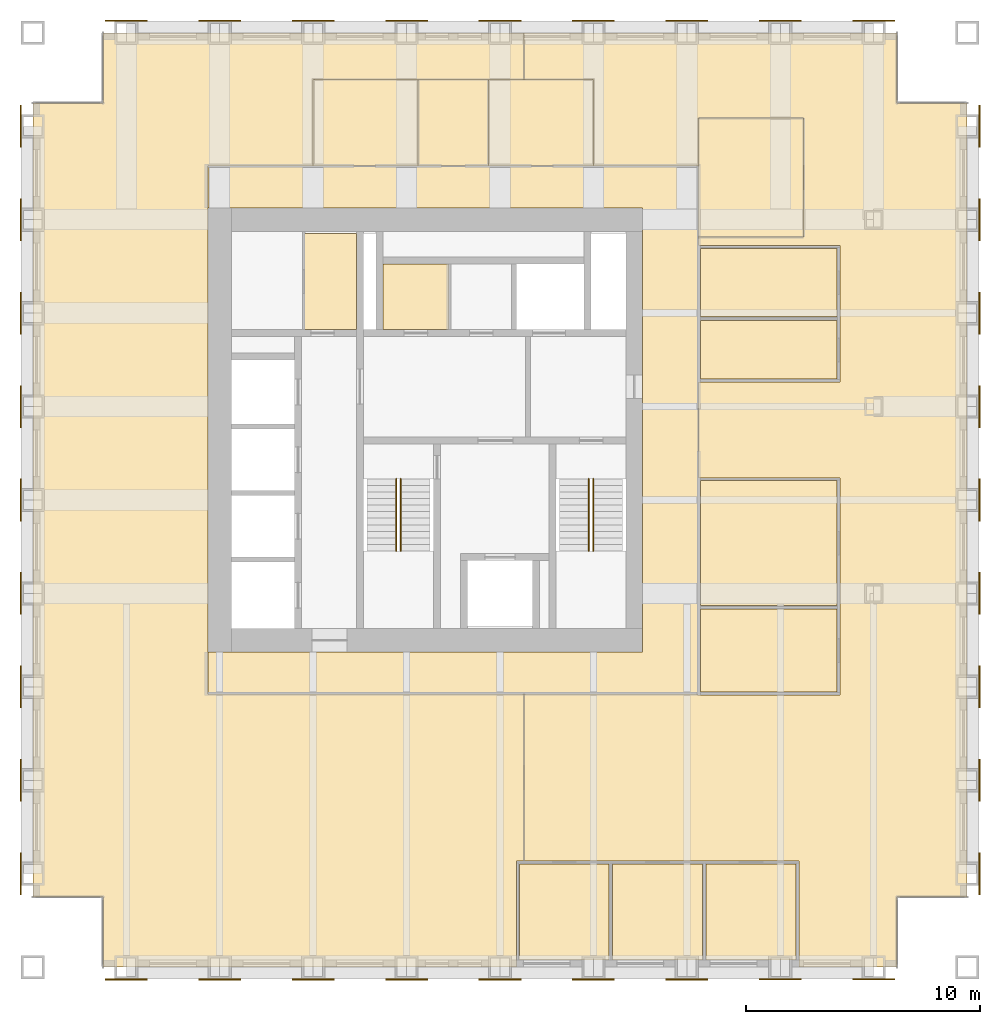
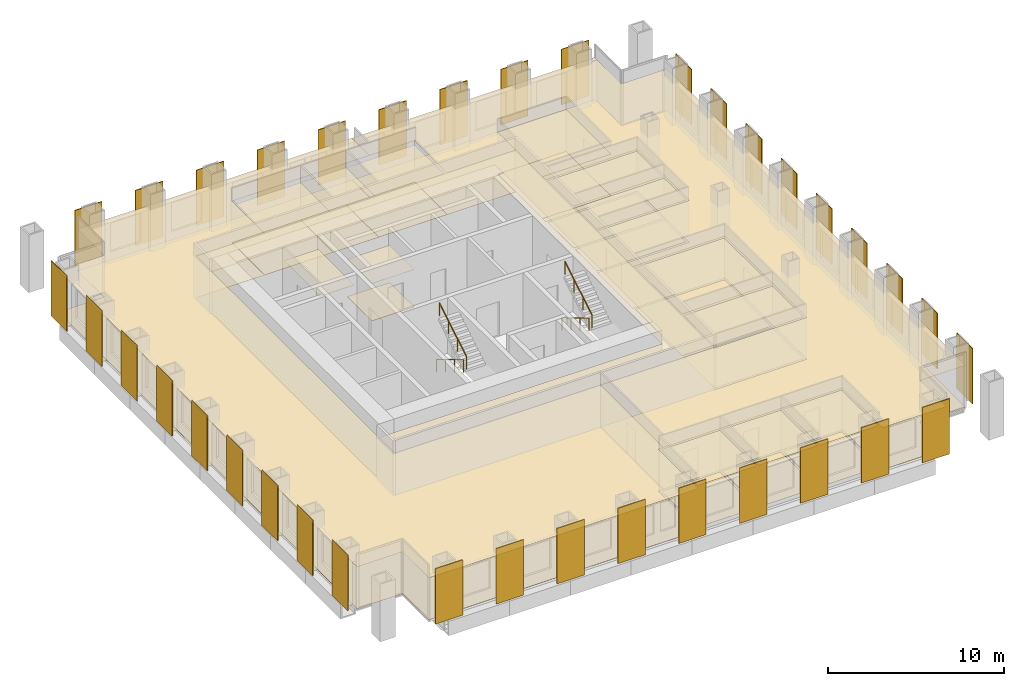
# One storey, part 11 of 11: 36 shading devices, 30 coverings, 4 railings.
"""IFC4 building model written with IfcOpenShell, lengths in metres."""

import ifcopenshell
import ifcopenshell.guid

model = None  # the IFC model being written
_history = None  # IfcOwnerHistory: only IFC2X3 demands one
_inside = {}  # id of a spatial element -> (the spatial element, [elements in it])
_under = {}  # id of a project, library or spatial element -> (it, [spatial elements below it])
_declared = {}  # id of a project -> (the project, [libraries it declares])
_typed = {}  # id of a type object -> (the type object, [elements of that type])
_made_of = {}  # id of a material, layer set ... -> (it, [elements and type objects made of it])


def new_model(schema):
    """Start an empty IFC model of exactly this schema.

    Asked for "IFC4X3", IfcOpenShell would pick the latest addendum, in which some entities
    have other attributes; the version numbers below select the first issue.
    IFC2X3 requires an IfcOwnerHistory on every rooted entity: one is made here for all.
    """
    global model, _history
    if schema == "IFC4X3":
        model = ifcopenshell.file(schema_version=(4, 3, 0, 0))
    else:
        model = ifcopenshell.file(schema=schema)
    _inside.clear()
    _under.clear()
    _declared.clear()
    _typed.clear()
    _made_of.clear()
    _history = None
    if model.schema == "IFC2X3":
        org = make("IfcOrganization", Name="unknown")
        user = make(
            "IfcPersonAndOrganization",
            ThePerson=make("IfcPerson", FamilyName="unknown"),
            TheOrganization=org,
        )
        app = make(
            "IfcApplication",
            ApplicationDeveloper=org,
            Version="unknown",
            ApplicationFullName="unknown",
            ApplicationIdentifier="unknown",
        )
        _history = make(
            "IfcOwnerHistory",
            OwningUser=user,
            OwningApplication=app,
            ChangeAction="ADDED",
            CreationDate=0,
        )
    return model


def make(cls, **values):
    """One entity of the class cls with the attributes given. An attribute that is None is left unset."""
    return model.create_entity(
        cls, **{name: value for name, value in values.items() if value is not None}
    )


def rooted(cls, **values):
    """An entity with a GlobalId (a new one), such as an element, a storey or a relation."""
    return make(cls, GlobalId=ifcopenshell.guid.new(), OwnerHistory=_history, **values)


def si_unit(unit_type, name, prefix=None):
    """IfcSIUnit, for example si_unit("LENGTHUNIT", "METRE", prefix="MILLI")."""
    return make("IfcSIUnit", UnitType=unit_type, Prefix=prefix, Name=name)


def assignment(units):
    """IfcUnitAssignment: the units of a project."""
    return None if units is None else make("IfcUnitAssignment", Units=units)


def point(xyz):
    """IfcCartesianPoint."""
    return None if xyz is None else make("IfcCartesianPoint", Coordinates=xyz)


def direction(xyz):
    """IfcDirection."""
    return None if xyz is None else make("IfcDirection", DirectionRatios=xyz)


def frame(location, z_axis=None, x_axis=None):
    """IfcAxis2Placement3D, a coordinate frame: its origin and axes. An axis left out is left unset."""
    return make(
        "IfcAxis2Placement3D",
        Location=point(location),
        Axis=direction(z_axis),
        RefDirection=direction(x_axis),
    )


def frame_2d(location, x_axis=None):
    """IfcAxis2Placement2D, a coordinate frame in the plane: its origin and x axis."""
    return make(
        "IfcAxis2Placement2D", Location=point(location), RefDirection=direction(x_axis)
    )


def origin():
    """The frame at (0, 0, 0) with its axes left unset."""
    return frame((0.0, 0.0, 0.0))


def origin_2d():
    """The frame at (0, 0) in the plane with its x axis left unset."""
    return frame_2d((0.0, 0.0))


def place(relative_to, where):
    """IfcLocalPlacement: puts the frame where relative to a parent placement (None: the world)."""
    return make(
        "IfcLocalPlacement", PlacementRelTo=relative_to, RelativePlacement=where
    )


def context(
    kind, dimensions, precision=None, world=None, true_north=None, identifier=None
):
    """IfcGeometricRepresentationContext, for example the 3D "Model" context."""
    return make(
        "IfcGeometricRepresentationContext",
        ContextIdentifier=identifier,
        ContextType=kind,
        CoordinateSpaceDimension=dimensions,
        Precision=precision,
        WorldCoordinateSystem=world,
        TrueNorth=true_north,
    )


def subcontext(parent, identifier, kind, view, scale=None):
    """IfcGeometricRepresentationSubContext, for example "Body" below "Model"."""
    return make(
        "IfcGeometricRepresentationSubContext",
        ContextIdentifier=identifier,
        ContextType=kind,
        ParentContext=parent,
        TargetScale=scale,
        TargetView=view,
    )


def project(units=None, contexts=None):
    """IfcProject with its units and contexts."""
    return rooted(
        "IfcProject",
        Name="project",
        RepresentationContexts=contexts,
        UnitsInContext=assignment(units),
    )


def spatial(cls, under=None, at=None, **own):
    """A site, building, storey or space (cls), placed at a placement, below another one or the project."""
    s = rooted(cls, ObjectPlacement=at, **own)
    if under is not None:
        _under.setdefault(under.id(), (under, []))[1].append(s)
    return s


def polyline(points):
    """IfcPolyline through the points."""
    return make("IfcPolyline", Points=[point(p) for p in points])


def profile(cls, at=None, kind="AREA", **sizes):
    """A parametric profile (cls). Its sizes go by their IFC names, for example OverallWidth=200.0."""
    return make(cls, ProfileType=kind, Position=at, **sizes)


def rectangle(**sizes):
    """IfcRectangleProfileDef."""
    return profile("IfcRectangleProfileDef", **sizes)


def circle(**sizes):
    """IfcCircleProfileDef."""
    return profile("IfcCircleProfileDef", **sizes)


def outline(outer, holes=None, kind="AREA"):
    """IfcArbitraryClosedProfileDef: a profile drawn as a closed curve; with holes, ...WithVoids."""
    if holes is None:
        return make("IfcArbitraryClosedProfileDef", ProfileType=kind, OuterCurve=outer)
    return make(
        "IfcArbitraryProfileDefWithVoids",
        ProfileType=kind,
        OuterCurve=outer,
        InnerCurves=holes,
    )


def extrude(swept, where, along, depth):
    """IfcExtrudedAreaSolid: the profile swept, set in the frame where, extruded along a direction by depth."""
    return make(
        "IfcExtrudedAreaSolid",
        SweptArea=swept,
        Position=where,
        ExtrudedDirection=direction(along),
        Depth=depth,
    )


def shape(context_of_items, identifier, shape_type, items):
    """IfcShapeRepresentation: the items that make up one representation, for example the "Body"."""
    return make(
        "IfcShapeRepresentation",
        ContextOfItems=context_of_items,
        RepresentationIdentifier=identifier,
        RepresentationType=shape_type,
        Items=items,
    )


def material(Name=None, Category=None):
    """IfcMaterial."""
    return make("IfcMaterial", Name=Name, Category=Category)


def layer(
    of_material, thickness, ventilated=None, Name=None, Category=None, Priority=None
):
    """IfcMaterialLayer: one layer of a wall or slab, of a material (None: an air gap)."""
    return make(
        "IfcMaterialLayer",
        Material=of_material,
        LayerThickness=thickness,
        IsVentilated=ventilated,
        Name=Name,
        Category=Category,
        Priority=Priority,
    )


def layer_set(layers, Name=None):
    """IfcMaterialLayerSet."""
    return make("IfcMaterialLayerSet", MaterialLayers=layers, LayerSetName=Name)


def made_of(thing, what):
    """Note that an element or type object is made of a material, layer set ...; save() writes the relation."""
    if what is not None:
        _made_of.setdefault(what.id(), (what, []))[1].append(thing)
    return thing


def type_object(cls, material=None, **own):
    """A type object (cls), such as IfcWallType, which elements share."""
    return made_of(rooted(cls, **own), material)


def element(
    cls,
    number,
    at=None,
    inside=None,
    cuts=None,
    type_object=None,
    material=None,
    context=None,
    identifier="Body",
    shape_type=None,
    held_by="IfcProductDefinitionShape",
    body=None,
    shapes=None,
    **own,
):
    """One element of the class cls, such as IfcWall. Its Tag is "e" and its number.

    at: its placement. inside: the storey or other place that contains it. cuts: it is an
    opening in that element (IfcRelVoidsElement). A single representation is given by context,
    identifier, shape_type and body (its items); several are given by shapes. held_by: the class
    of the entity that holds the representations. save() writes the other relations.
    """
    e = rooted(cls, Tag="e%d" % number, ObjectPlacement=at, **own)
    if body is not None:
        shapes = [shape(context, identifier, shape_type, body)]
    if shapes is not None:
        e.Representation = make(held_by, Representations=shapes)
    if inside is not None:
        _inside.setdefault(inside.id(), (inside, []))[1].append(e)
    if cuts is not None:
        rooted(
            "IfcRelVoidsElement", RelatingBuildingElement=cuts, RelatedOpeningElement=e
        )
    if type_object is not None:
        _typed.setdefault(type_object.id(), (type_object, []))[1].append(e)
    return made_of(e, material)


def aggregate(whole, parts):
    """IfcRelAggregates: a whole, such as a stair, and the parts it consists of."""
    return rooted("IfcRelAggregates", RelatingObject=whole, RelatedObjects=parts)


def save(model, path):
    """Write the relations noted so far, then the file.

    IfcRelAggregates (storeys below a building ...), IfcRelContainedInSpatialStructure (elements
    in a storey), IfcRelDefinesByType, IfcRelAssociatesMaterial and IfcRelDeclares: one each for
    every whole, place, type object, material and project.
    """
    for whole, parts in _under.values():
        aggregate(whole, parts)
    for where, things in _inside.values():
        rooted(
            "IfcRelContainedInSpatialStructure",
            RelatedElements=things,
            RelatingStructure=where,
        )
    for kind, things in _typed.values():
        rooted("IfcRelDefinesByType", RelatedObjects=things, RelatingType=kind)
    for what, things in _made_of.values():
        rooted("IfcRelAssociatesMaterial", RelatedObjects=things, RelatingMaterial=what)
    for by, libraries in _declared.values():
        rooted("IfcRelDeclares", RelatingContext=by, RelatedDefinitions=libraries)
    model.write(path)


model = new_model("IFC4")

# Units and contexts
model_context = context("Model", 3, precision=1e-05, world=origin(), true_north=direction((0.0, 1.0)))
body_context = subcontext(model_context, "Body", "Model", "MODEL_VIEW")
ifc_project = project(units=[si_unit("LENGTHUNIT", "METRE"), si_unit("AREAUNIT", "SQUARE_METRE"), si_unit("VOLUMEUNIT", "CUBIC_METRE"), si_unit("PLANEANGLEUNIT", "RADIAN"), si_unit("MASSUNIT", "GRAM", prefix="KILO")], contexts=[model_context])

# Site, building, storey
site_placement = place(None, origin())
site = spatial("IfcSite", under=ifc_project, at=site_placement, CompositionType="ELEMENT")
building_placement = place(site_placement, origin())
building = spatial("IfcBuilding", under=site, at=building_placement, Name="Rimbunsela Tower", CompositionType="ELEMENT")
storey_placement = place(building_placement, frame((0.0, 0.0, 250.199951171875)))
storey = spatial("IfcBuildingStorey", under=building, at=storey_placement, Name="L60", CompositionType="ELEMENT", Elevation=250.199951171875)

# Coverings
ifc_material_1 = material(Name="Nylon carpet tile", Category="textile")
ifc_layer_1 = layer(ifc_material_1, 0.010009765625)
ifc_layer_set_1 = layer_set([ifc_layer_1], Name="Carpet tile 10")
covering_type_1 = type_object("IfcCoveringType", Name="Carpet tile 10", PredefinedType="FLOORING", material=ifc_layer_set_1)
covering_1_placement = place(storey_placement, origin())
element("IfcCovering", 1, at=covering_1_placement, inside=storey, type_object=covering_type_1, Name="Floor finish Open office", PredefinedType="FLOORING", context=body_context, shape_type="SweptSolid", body=[
    extrude(outline(polyline([(31.02490234375, 44.0), (38.5, 44.0), (47.0, 44.0), (47.0, 41.0), (50.0, 41.0), (50.0, 7.0), (47.0, 7.0), (47.0, 4.0), (42.800048828125, 4.0), (42.800048828125, 8.550048828125), (38.800048828125, 8.550048828125), (38.699951171875, 8.550048828125), (38.5, 8.550048828125), (34.800048828125, 8.550048828125), (34.699951171875, 8.550048828125), (31.02490234375, 8.550048828125), (31.02490234375, 15.699951171875), (38.449951171875, 15.699951171875), (38.449951171875, 15.64990234375), (38.5, 15.64990234375), (44.550048828125, 15.64990234375), (44.550048828125, 19.35009765625), (44.550048828125, 19.449951171875), (44.550048828125, 24.949951171875), (38.5, 24.949951171875), (38.5, 29.050048828125), (44.550048828125, 29.050048828125), (44.550048828125, 31.699951171875), (44.550048828125, 31.800048828125), (44.550048828125, 34.89990234375), (38.5, 34.89990234375), (38.5, 35.25), (43.0, 35.25), (43.0, 40.35009765625), (38.5, 40.35009765625), (38.5, 38.300048828125), (34.0, 38.300048828125), (34.0, 42.0), (31.02490234375, 42.0), (31.02490234375, 44.0)])), origin(), (0.0, 0.0, 1.0), 0.010009765625),
])
covering_2_placement = place(storey_placement, origin())
element("IfcCovering", 2, at=covering_2_placement, inside=storey, type_object=covering_type_1, Name="Floor finish Open office", PredefinedType="FLOORING", context=body_context, shape_type="SweptSolid", body=[
    extrude(outline(polyline([(30.699951171875, 4.0), (17.5, 4.0), (13.0, 4.0), (13.0, 7.0), (10.0, 7.0), (10.0, 41.0), (13.0, 41.0), (13.0, 44.0), (17.5, 44.0), (31.02490234375, 44.0), (31.02490234375, 42.0), (22.0, 42.0), (22.0, 38.300048828125), (17.5, 38.300048828125), (17.5, 36.5), (17.5, 17.5), (17.5, 15.699951171875), (31.02490234375, 15.699951171875), (31.02490234375, 8.550048828125), (30.699951171875, 8.550048828125), (30.699951171875, 4.0)])), origin(), (0.0, 0.0, 1.0), 0.010009765625),
])
covering_3_placement = place(storey_placement, origin())
element("IfcCovering", 3, at=covering_3_placement, inside=storey, type_object=covering_type_1, Name="Floor finish Reception", PredefinedType="FLOORING", context=body_context, shape_type="SweptSolid", body=[
    extrude(outline(polyline([(43.0, 35.25), (43.0, 40.35009765625), (38.5, 40.35009765625), (38.5, 35.25), (43.0, 35.25)])), origin(), (0.0, 0.0, 1.0), 0.010009765625),
])
covering_4_placement = place(storey_placement, origin())
element("IfcCovering", 4, at=covering_4_placement, inside=storey, type_object=covering_type_1, Name="Floor finish Executive office", PredefinedType="FLOORING", context=body_context, shape_type="SweptSolid", body=[
    extrude(outline(polyline([(34.675048828125, 4.300048828125), (34.675048828125, 8.425048828125), (30.824951171875, 8.425048828125), (30.824951171875, 4.300048828125), (34.675048828125, 4.300048828125)])), origin(), (0.0, 0.0, 1.0), 0.010009765625),
])
covering_5_placement = place(storey_placement, origin())
element("IfcCovering", 5, at=covering_5_placement, inside=storey, type_object=covering_type_1, Name="Floor finish Executive office", PredefinedType="FLOORING", context=body_context, shape_type="SweptSolid", body=[
    extrude(outline(polyline([(38.675048828125, 4.300048828125), (38.675048828125, 8.425048828125), (34.824951171875, 8.425048828125), (34.824951171875, 4.300048828125), (38.675048828125, 4.300048828125)])), origin(), (0.0, 0.0, 1.0), 0.010009765625),
])
covering_6_placement = place(storey_placement, origin())
element("IfcCovering", 6, at=covering_6_placement, inside=storey, type_object=covering_type_1, Name="Floor finish Executive office", PredefinedType="FLOORING", context=body_context, shape_type="SweptSolid", body=[
    extrude(outline(polyline([(42.675048828125, 4.300048828125), (42.675048828125, 8.425048828125), (38.824951171875, 8.425048828125), (38.824951171875, 4.300048828125), (42.675048828125, 4.300048828125)])), origin(), (0.0, 0.0, 1.0), 0.010009765625),
])
covering_7_placement = place(storey_placement, origin())
element("IfcCovering", 7, at=covering_7_placement, inside=storey, type_object=covering_type_1, Name="Floor finish Meeting room", PredefinedType="FLOORING", context=body_context, shape_type="SweptSolid", body=[
    extrude(outline(polyline([(44.425048828125, 15.77490234375), (44.425048828125, 19.324951171875), (38.574951171875, 19.324951171875), (38.574951171875, 15.77490234375), (44.425048828125, 15.77490234375)])), origin(), (0.0, 0.0, 1.0), 0.010009765625),
])
covering_8_placement = place(storey_placement, origin())
element("IfcCovering", 8, at=covering_8_placement, inside=storey, type_object=covering_type_1, Name="Floor finish Pantry", PredefinedType="FLOORING", context=body_context, shape_type="SweptSolid", body=[
    extrude(outline(polyline([(44.425048828125, 19.47509765625), (44.425048828125, 24.824951171875), (38.574951171875, 24.824951171875), (38.574951171875, 19.47509765625), (44.425048828125, 19.47509765625)])), origin(), (0.0, 0.0, 1.0), 0.010009765625),
])
covering_9_placement = place(storey_placement, origin())
element("IfcCovering", 9, at=covering_9_placement, inside=storey, type_object=covering_type_1, Name="Floor finish Print and copy room", PredefinedType="FLOORING", context=body_context, shape_type="SweptSolid", body=[
    extrude(outline(polyline([(44.425048828125, 29.175048828125), (44.425048828125, 31.675048828125), (38.574951171875, 31.675048828125), (38.574951171875, 29.175048828125), (44.425048828125, 29.175048828125)])), origin(), (0.0, 0.0, 1.0), 0.010009765625),
])
covering_10_placement = place(storey_placement, origin())
element("IfcCovering", 10, at=covering_10_placement, inside=storey, type_object=covering_type_1, Name="Floor finish Office", PredefinedType="FLOORING", context=body_context, shape_type="SweptSolid", body=[
    extrude(outline(polyline([(44.425048828125, 31.824951171875), (44.425048828125, 34.77490234375), (38.574951171875, 34.77490234375), (38.574951171875, 31.824951171875), (44.425048828125, 31.824951171875)])), origin(), (0.0, 0.0, 1.0), 0.010009765625),
])
ifc_material_2 = material(Name="Mineral fibre ceiling tile", Category="gypsum")
ifc_layer_2 = layer(ifc_material_2, 0.02001953125)
ifc_layer_set_2 = layer_set([ifc_layer_2], Name="Ceiling 600 grid")
covering_type_2 = type_object("IfcCoveringType", Name="Ceiling 600 grid", PredefinedType="CEILING", material=ifc_layer_set_2)
covering_11_placement = place(storey_placement, frame((0.0, 0.0, 2.900146484375)))
element("IfcCovering", 11, at=covering_11_placement, inside=storey, type_object=covering_type_2, Name="Ceiling Staff pantry", PredefinedType="CEILING", context=body_context, shape_type="SweptSolid", body=[
    extrude(outline(polyline([(23.85009765625, 31.300048828125), (23.85009765625, 35.39990234375), (21.60009765625, 35.39990234375), (21.60009765625, 31.300048828125), (23.85009765625, 31.300048828125)])), origin(), (0.0, 0.0, 1.0), 0.02001953125),
])
covering_12_placement = place(storey_placement, frame((0.0, 0.0, 2.900146484375)))
element("IfcCovering", 12, at=covering_12_placement, inside=storey, type_object=covering_type_2, Name="Ceiling U-shaped corridor", PredefinedType="CEILING", context=body_context, shape_type="SweptSolid", body=[
    extrude(outline(polyline([(38.5, 38.300048828125), (38.5, 15.699951171875), (17.5, 15.699951171875), (17.5, 17.5), (36.10009765625, 17.5), (36.10009765625, 36.5), (17.5, 36.5), (17.5, 38.300048828125), (38.5, 38.300048828125)])), origin(), (0.0, 0.0, 1.0), 0.02001953125),
])
covering_13_placement = place(storey_placement, frame((0.0, 0.0, 2.900146484375)))
element("IfcCovering", 13, at=covering_13_placement, inside=storey, type_object=covering_type_2, Name="Ceiling Open office", PredefinedType="CEILING", context=body_context, shape_type="SweptSolid", body=[
    extrude(outline(polyline([(31.02490234375, 44.0), (38.5, 44.0), (47.0, 44.0), (47.0, 41.0), (50.0, 41.0), (50.0, 7.0), (47.0, 7.0), (47.0, 4.0), (42.800048828125, 4.0), (42.800048828125, 8.550048828125), (38.800048828125, 8.550048828125), (38.699951171875, 8.550048828125), (38.5, 8.550048828125), (34.800048828125, 8.550048828125), (34.699951171875, 8.550048828125), (31.02490234375, 8.550048828125), (31.02490234375, 15.699951171875), (38.449951171875, 15.699951171875), (38.449951171875, 15.64990234375), (38.5, 15.64990234375), (44.550048828125, 15.64990234375), (44.550048828125, 19.35009765625), (44.550048828125, 19.449951171875), (44.550048828125, 24.949951171875), (38.5, 24.949951171875), (38.5, 29.050048828125), (44.550048828125, 29.050048828125), (44.550048828125, 31.699951171875), (44.550048828125, 31.800048828125), (44.550048828125, 34.89990234375), (38.5, 34.89990234375), (38.5, 35.25), (43.0, 35.25), (43.0, 40.35009765625), (38.5, 40.35009765625), (38.5, 38.300048828125), (34.0, 38.300048828125), (34.0, 42.0), (31.02490234375, 42.0), (31.02490234375, 44.0)])), origin(), (0.0, 0.0, 1.0), 0.02001953125),
])
covering_14_placement = place(storey_placement, frame((0.0, 0.0, 2.900146484375)))
element("IfcCovering", 14, at=covering_14_placement, inside=storey, type_object=covering_type_2, Name="Ceiling Open office", PredefinedType="CEILING", context=body_context, shape_type="SweptSolid", body=[
    extrude(outline(polyline([(30.699951171875, 4.0), (17.5, 4.0), (13.0, 4.0), (13.0, 7.0), (10.0, 7.0), (10.0, 41.0), (13.0, 41.0), (13.0, 44.0), (17.5, 44.0), (31.02490234375, 44.0), (31.02490234375, 42.0), (22.0, 42.0), (22.0, 38.300048828125), (17.5, 38.300048828125), (17.5, 36.5), (17.5, 17.5), (17.5, 15.699951171875), (31.02490234375, 15.699951171875), (31.02490234375, 8.550048828125), (30.699951171875, 8.550048828125), (30.699951171875, 4.0)])), origin(), (0.0, 0.0, 1.0), 0.02001953125),
])
covering_15_placement = place(storey_placement, frame((0.0, 0.0, 2.900146484375)))
element("IfcCovering", 15, at=covering_15_placement, inside=storey, type_object=covering_type_2, Name="Ceiling Reception", PredefinedType="CEILING", context=body_context, shape_type="SweptSolid", body=[
    extrude(outline(polyline([(43.0, 35.25), (43.0, 40.35009765625), (38.5, 40.35009765625), (38.5, 35.25), (43.0, 35.25)])), origin(), (0.0, 0.0, 1.0), 0.02001953125),
])
covering_16_placement = place(storey_placement, frame((0.0, 0.0, 2.900146484375)))
element("IfcCovering", 16, at=covering_16_placement, inside=storey, type_object=covering_type_2, Name="Ceiling Executive office", PredefinedType="CEILING", context=body_context, shape_type="SweptSolid", body=[
    extrude(outline(polyline([(34.675048828125, 4.300048828125), (34.675048828125, 8.425048828125), (30.824951171875, 8.425048828125), (30.824951171875, 4.300048828125), (34.675048828125, 4.300048828125)])), origin(), (0.0, 0.0, 1.0), 0.02001953125),
])
covering_17_placement = place(storey_placement, frame((0.0, 0.0, 2.900146484375)))
element("IfcCovering", 17, at=covering_17_placement, inside=storey, type_object=covering_type_2, Name="Ceiling Executive office", PredefinedType="CEILING", context=body_context, shape_type="SweptSolid", body=[
    extrude(outline(polyline([(38.675048828125, 4.300048828125), (38.675048828125, 8.425048828125), (34.824951171875, 8.425048828125), (34.824951171875, 4.300048828125), (38.675048828125, 4.300048828125)])), origin(), (0.0, 0.0, 1.0), 0.02001953125),
])
covering_18_placement = place(storey_placement, frame((0.0, 0.0, 2.900146484375)))
element("IfcCovering", 18, at=covering_18_placement, inside=storey, type_object=covering_type_2, Name="Ceiling Executive office", PredefinedType="CEILING", context=body_context, shape_type="SweptSolid", body=[
    extrude(outline(polyline([(42.675048828125, 4.300048828125), (42.675048828125, 8.425048828125), (38.824951171875, 8.425048828125), (38.824951171875, 4.300048828125), (42.675048828125, 4.300048828125)])), origin(), (0.0, 0.0, 1.0), 0.02001953125),
])
covering_19_placement = place(storey_placement, frame((0.0, 0.0, 2.900146484375)))
element("IfcCovering", 19, at=covering_19_placement, inside=storey, type_object=covering_type_2, Name="Ceiling Meeting room", PredefinedType="CEILING", context=body_context, shape_type="SweptSolid", body=[
    extrude(outline(polyline([(44.425048828125, 15.77490234375), (44.425048828125, 19.324951171875), (38.574951171875, 19.324951171875), (38.574951171875, 15.77490234375), (44.425048828125, 15.77490234375)])), origin(), (0.0, 0.0, 1.0), 0.02001953125),
])
covering_20_placement = place(storey_placement, frame((0.0, 0.0, 2.900146484375)))
element("IfcCovering", 20, at=covering_20_placement, inside=storey, type_object=covering_type_2, Name="Ceiling Pantry", PredefinedType="CEILING", context=body_context, shape_type="SweptSolid", body=[
    extrude(outline(polyline([(44.425048828125, 19.47509765625), (44.425048828125, 24.824951171875), (38.574951171875, 24.824951171875), (38.574951171875, 19.47509765625), (44.425048828125, 19.47509765625)])), origin(), (0.0, 0.0, 1.0), 0.02001953125),
])
covering_21_placement = place(storey_placement, frame((0.0, 0.0, 2.900146484375)))
element("IfcCovering", 21, at=covering_21_placement, inside=storey, type_object=covering_type_2, Name="Ceiling Print and copy room", PredefinedType="CEILING", context=body_context, shape_type="SweptSolid", body=[
    extrude(outline(polyline([(44.425048828125, 29.175048828125), (44.425048828125, 31.675048828125), (38.574951171875, 31.675048828125), (38.574951171875, 29.175048828125), (44.425048828125, 29.175048828125)])), origin(), (0.0, 0.0, 1.0), 0.02001953125),
])
covering_22_placement = place(storey_placement, frame((0.0, 0.0, 2.900146484375)))
element("IfcCovering", 22, at=covering_22_placement, inside=storey, type_object=covering_type_2, Name="Ceiling Office", PredefinedType="CEILING", context=body_context, shape_type="SweptSolid", body=[
    extrude(outline(polyline([(44.425048828125, 31.824951171875), (44.425048828125, 34.77490234375), (38.574951171875, 34.77490234375), (38.574951171875, 31.824951171875), (44.425048828125, 31.824951171875)])), origin(), (0.0, 0.0, 1.0), 0.02001953125),
])
ifc_material_3 = material(Name="Moisture-resistant plasterboard ceiling", Category="gypsum")
ifc_layer_3 = layer(ifc_material_3, 0.012451171875)
ifc_layer_set_3 = layer_set([ifc_layer_3], Name="Ceiling moisture-resistant board")
covering_type_3 = type_object("IfcCoveringType", Name="Ceiling moisture-resistant board", PredefinedType="CEILING", material=ifc_layer_set_3)
covering_23_placement = place(storey_placement, frame((0.0, 0.0, 2.60009765625)))
element("IfcCovering", 23, at=covering_23_placement, inside=storey, type_object=covering_type_3, Name="Ceiling Staff WC", PredefinedType="CEILING", context=body_context, shape_type="SweptSolid", body=[
    extrude(outline(polyline([(27.800048828125, 31.300048828125), (27.800048828125, 34.10009765625), (25.0, 34.10009765625), (25.0, 31.300048828125), (27.800048828125, 31.300048828125)])), origin(), (0.0, 0.0, 1.0), 0.02001953125),
])
covering_24_placement = place(storey_placement, frame((0.0, 0.0, 2.60009765625)))
element("IfcCovering", 24, at=covering_24_placement, inside=storey, type_object=covering_type_3, Name="Ceiling Female WC", PredefinedType="CEILING", context=body_context, shape_type="SweptSolid", body=[
    extrude(outline(polyline([(26.5, 38.300048828125), (26.5, 42.0), (22.0, 42.0), (22.0, 38.300048828125), (26.5, 38.300048828125)])), origin(), (0.0, 0.0, 1.0), 0.02001953125),
])
covering_25_placement = place(storey_placement, frame((0.0, 0.0, 2.60009765625)))
element("IfcCovering", 25, at=covering_25_placement, inside=storey, type_object=covering_type_3, Name="Ceiling Accessible WC", PredefinedType="CEILING", context=body_context, shape_type="SweptSolid", body=[
    extrude(outline(polyline([(29.5, 38.300048828125), (29.5, 42.0), (26.5, 42.0), (26.5, 38.300048828125), (29.5, 38.300048828125)])), origin(), (0.0, 0.0, 1.0), 0.02001953125),
])
covering_26_placement = place(storey_placement, frame((0.0, 0.0, 2.60009765625)))
element("IfcCovering", 26, at=covering_26_placement, inside=storey, type_object=covering_type_3, Name="Ceiling Male WC", PredefinedType="CEILING", context=body_context, shape_type="SweptSolid", body=[
    extrude(outline(polyline([(34.0, 38.300048828125), (34.0, 42.0), (29.5, 42.0), (29.5, 38.300048828125), (34.0, 38.300048828125)])), origin(), (0.0, 0.0, 1.0), 0.02001953125),
])
ifc_material_4 = material(Name="Porcelain floor tile in adhesive bed", Category="ceramic")
ifc_layer_4 = layer(ifc_material_4, 0.02001953125)
ifc_layer_set_4 = layer_set([ifc_layer_4], Name="Porcelain tile 20")
covering_type_4 = type_object("IfcCoveringType", Name="Porcelain tile 20", PredefinedType="FLOORING", material=ifc_layer_set_4)
covering_27_placement = place(storey_placement, origin())
element("IfcCovering", 27, at=covering_27_placement, inside=storey, type_object=covering_type_4, Name="Floor finish Staff WC", PredefinedType="FLOORING", context=body_context, shape_type="SweptSolid", body=[
    extrude(outline(polyline([(27.800048828125, 31.300048828125), (27.800048828125, 34.10009765625), (25.0, 34.10009765625), (25.0, 31.300048828125), (27.800048828125, 31.300048828125)])), origin(), (0.0, 0.0, 1.0), 0.02001953125),
])
covering_28_placement = place(storey_placement, origin())
element("IfcCovering", 28, at=covering_28_placement, inside=storey, type_object=covering_type_4, Name="Floor finish Female WC", PredefinedType="FLOORING", context=body_context, shape_type="SweptSolid", body=[
    extrude(outline(polyline([(26.5, 38.300048828125), (26.5, 42.0), (22.0, 42.0), (22.0, 38.300048828125), (26.5, 38.300048828125)])), origin(), (0.0, 0.0, 1.0), 0.02001953125),
])
covering_29_placement = place(storey_placement, origin())
element("IfcCovering", 29, at=covering_29_placement, inside=storey, type_object=covering_type_4, Name="Floor finish Accessible WC", PredefinedType="FLOORING", context=body_context, shape_type="SweptSolid", body=[
    extrude(outline(polyline([(29.5, 38.300048828125), (29.5, 42.0), (26.5, 42.0), (26.5, 38.300048828125), (29.5, 38.300048828125)])), origin(), (0.0, 0.0, 1.0), 0.02001953125),
])
covering_30_placement = place(storey_placement, origin())
element("IfcCovering", 30, at=covering_30_placement, inside=storey, type_object=covering_type_4, Name="Floor finish Male WC", PredefinedType="FLOORING", context=body_context, shape_type="SweptSolid", body=[
    extrude(outline(polyline([(34.0, 38.300048828125), (34.0, 42.0), (29.5, 42.0), (29.5, 38.300048828125), (34.0, 38.300048828125)])), origin(), (0.0, 0.0, 1.0), 0.02001953125),
])

# Shading devices
ifc_material_5 = material(Name="Perforated aluminium, 35 % open area", Category="aluminium")
ifc_layer_5 = layer(ifc_material_5, 0.050048828125)
ifc_layer_set_5 = layer_set([ifc_layer_5], Name="Solar screen panel 1800")
shading_device_type = type_object("IfcShadingDeviceType", Name="Solar screen panel 1800", PredefinedType="USERDEFINED", material=ifc_layer_set_5)
for number, where, z_axis, x_axis, name in (
    (31, (14.0, 3.47509765625, 0.0), (0.0, 0.0, 1.0), (1.0, 0.0, 0.0), "Solar screen S L60"),
    (32, (18.0, 3.47509765625, 0.0), (0.0, 0.0, 1.0), (1.0, 0.0, 0.0), "Solar screen S L60"),
    (33, (22.0, 3.47509765625, 0.0), (0.0, 0.0, 1.0), (1.0, 0.0, 0.0), "Solar screen S L60"),
    (34, (26.0, 3.47509765625, 0.0), (0.0, 0.0, 1.0), (1.0, 0.0, 0.0), "Solar screen S L60"),
    (35, (30.0, 3.47509765625, 0.0), (0.0, 0.0, 1.0), (1.0, 0.0, 0.0), "Solar screen S L60"),
    (36, (34.0, 3.47509765625, 0.0), (0.0, 0.0, 1.0), (1.0, 0.0, 0.0), "Solar screen S L60"),
    (37, (38.0, 3.47509765625, 0.0), (0.0, 0.0, 1.0), (1.0, 0.0, 0.0), "Solar screen S L60"),
    (38, (42.0, 3.47509765625, 0.0), (0.0, 0.0, 1.0), (1.0, 0.0, 0.0), "Solar screen S L60"),
    (39, (46.0, 3.47509765625, 0.0), (0.0, 0.0, 1.0), (1.0, 0.0, 0.0), "Solar screen S L60"),
    (40, (50.52490234375, 8.0, 0.0), (0.0, 0.0, 1.0), (0.0, 1.0, 0.0), "Solar screen E L60"),
    (41, (50.52490234375, 12.0, 0.0), (0.0, 0.0, 1.0), (0.0, 1.0, 0.0), "Solar screen E L60"),
    (42, (50.52490234375, 16.0, 0.0), (0.0, 0.0, 1.0), (0.0, 1.0, 0.0), "Solar screen E L60"),
    (43, (50.52490234375, 20.0, 0.0), (0.0, 0.0, 1.0), (0.0, 1.0, 0.0), "Solar screen E L60"),
    (44, (50.52490234375, 24.0, 0.0), (0.0, 0.0, 1.0), (0.0, 1.0, 0.0), "Solar screen E L60"),
    (45, (50.52490234375, 28.0, 0.0), (0.0, 0.0, 1.0), (0.0, 1.0, 0.0), "Solar screen E L60"),
    (46, (50.52490234375, 32.0, 0.0), (0.0, 0.0, 1.0), (0.0, 1.0, 0.0), "Solar screen E L60"),
    (47, (50.52490234375, 36.0, 0.0), (0.0, 0.0, 1.0), (0.0, 1.0, 0.0), "Solar screen E L60"),
    (48, (50.52490234375, 40.0, 0.0), (0.0, 0.0, 1.0), (0.0, 1.0, 0.0), "Solar screen E L60"),
    (49, (14.0, 44.52490234375, 0.0), (0.0, 0.0, 1.0), (1.0, 0.0, 0.0), "Solar screen N L60"),
    (50, (18.0, 44.52490234375, 0.0), (0.0, 0.0, 1.0), (1.0, 0.0, 0.0), "Solar screen N L60"),
    (51, (22.0, 44.52490234375, 0.0), (0.0, 0.0, 1.0), (1.0, 0.0, 0.0), "Solar screen N L60"),
    (52, (26.0, 44.52490234375, 0.0), (0.0, 0.0, 1.0), (1.0, 0.0, 0.0), "Solar screen N L60"),
    (53, (30.0, 44.52490234375, 0.0), (0.0, 0.0, 1.0), (1.0, 0.0, 0.0), "Solar screen N L60"),
    (54, (34.0, 44.52490234375, 0.0), (0.0, 0.0, 1.0), (1.0, 0.0, 0.0), "Solar screen N L60"),
    (55, (38.0, 44.52490234375, 0.0), (0.0, 0.0, 1.0), (1.0, 0.0, 0.0), "Solar screen N L60"),
    (56, (42.0, 44.52490234375, 0.0), (0.0, 0.0, 1.0), (1.0, 0.0, 0.0), "Solar screen N L60"),
    (57, (46.0, 44.52490234375, 0.0), (0.0, 0.0, 1.0), (1.0, 0.0, 0.0), "Solar screen N L60"),
    (58, (9.47509765625, 8.0, 0.0), (0.0, 0.0, 1.0), (0.0, 1.0, 0.0), "Solar screen W L60"),
    (59, (9.47509765625, 12.0, 0.0), (0.0, 0.0, 1.0), (0.0, 1.0, 0.0), "Solar screen W L60"),
    (60, (9.47509765625, 16.0, 0.0), (0.0, 0.0, 1.0), (0.0, 1.0, 0.0), "Solar screen W L60"),
    (61, (9.47509765625, 20.0, 0.0), (0.0, 0.0, 1.0), (0.0, 1.0, 0.0), "Solar screen W L60"),
    (62, (9.47509765625, 24.0, 0.0), (0.0, 0.0, 1.0), (0.0, 1.0, 0.0), "Solar screen W L60"),
    (63, (9.47509765625, 28.0, 0.0), (0.0, 0.0, 1.0), (0.0, 1.0, 0.0), "Solar screen W L60"),
    (64, (9.47509765625, 32.0, 0.0), (0.0, 0.0, 1.0), (0.0, 1.0, 0.0), "Solar screen W L60"),
    (65, (9.47509765625, 36.0, 0.0), (0.0, 0.0, 1.0), (0.0, 1.0, 0.0), "Solar screen W L60"),
    (66, (9.47509765625, 40.0, 0.0), (0.0, 0.0, 1.0), (0.0, 1.0, 0.0), "Solar screen W L60"),
):
    element("IfcShadingDevice", number, at=place(storey_placement, frame(where, z_axis=z_axis, x_axis=x_axis)), inside=storey, type_object=shading_device_type, Name=name, ObjectType="SCREEN", PredefinedType="USERDEFINED", context=body_context, shape_type="SweptSolid", body=[
        extrude(rectangle(XDim=1.800048828125, YDim=0.050048828125, at=origin_2d()), origin(), (0.0, 0.0, 1.0), 3.85009765625),
    ])

# Railings
ifc_material_6 = material(Name="Stainless steel tube", Category="steel")
railing_type = type_object("IfcRailingType", Name="Stair handrail 900", PredefinedType="HANDRAIL", material=ifc_material_6)
railing_1_placement = place(storey_placement, frame((25.550048828125, 24.89990234375, 0.166748046875)))
element("IfcRailing", 67, at=railing_1_placement, inside=storey, type_object=railing_type, Name="Handrail ST-A flight 1", PredefinedType="HANDRAIL", context=body_context, shape_type="SweptSolid", body=[
    extrude(circle(Radius=0.02392578125, at=origin_2d()), frame((0.0, 0.0, 0.8759765625), z_axis=(0.0, -0.859290745958, 0.51148745235), x_axis=(1.0, 0.0, 0.0)), (0.0, 0.0, 1.0), 3.584228515625),
    extrude(circle(Radius=0.02099609375, at=origin_2d()), origin(), (0.0, 0.0, 1.0), 0.851806640625),
    extrude(circle(Radius=0.02099609375, at=origin_2d()), frame((0.0, -1.026611328125, 0.611083984375)), (0.0, 0.0, 1.0), 0.851806640625),
    extrude(circle(Radius=0.02099609375, at=origin_2d()), frame((0.0, -2.05322265625, 1.22216796875)), (0.0, 0.0, 1.0), 0.851806640625),
    extrude(circle(Radius=0.02099609375, at=origin_2d()), frame((0.0, -3.079833984375, 1.833251953125)), (0.0, 0.0, 1.0), 0.851806640625),
])
railing_2_placement = place(storey_placement, frame((25.75, 21.820068359375, 2.166748046875)))
element("IfcRailing", 68, at=railing_2_placement, inside=storey, type_object=railing_type, Name="Handrail ST-A flight 2", PredefinedType="HANDRAIL", context=body_context, shape_type="SweptSolid", body=[
    extrude(circle(Radius=0.02392578125, at=origin_2d()), frame((0.0, 0.0, 0.8759765625), z_axis=(0.0, 0.859290745958, 0.51148745235), x_axis=(-1.0, 0.0, 0.0)), (0.0, 0.0, 1.0), 3.584228515625),
    extrude(circle(Radius=0.02099609375, at=origin_2d()), origin(), (0.0, 0.0, 1.0), 0.851806640625),
    extrude(circle(Radius=0.02099609375, at=origin_2d()), frame((0.0, 1.026611328125, 0.611083984375)), (0.0, 0.0, 1.0), 0.851806640625),
    extrude(circle(Radius=0.02099609375, at=origin_2d()), frame((0.0, 2.05322265625, 1.22216796875)), (0.0, 0.0, 1.0), 0.851806640625),
    extrude(circle(Radius=0.02099609375, at=origin_2d()), frame((0.0, 3.079833984375, 1.833251953125)), (0.0, 0.0, 1.0), 0.851806640625),
])
railing_3_placement = place(storey_placement, frame((33.800048828125, 24.89990234375, 0.166748046875)))
element("IfcRailing", 69, at=railing_3_placement, inside=storey, type_object=railing_type, Name="Handrail ST-B flight 1", PredefinedType="HANDRAIL", context=body_context, shape_type="SweptSolid", body=[
    extrude(circle(Radius=0.02392578125, at=origin_2d()), frame((0.0, 0.0, 0.8759765625), z_axis=(0.0, -0.859290745958, 0.51148745235), x_axis=(1.0, 0.0, 0.0)), (0.0, 0.0, 1.0), 3.584228515625),
    extrude(circle(Radius=0.02099609375, at=origin_2d()), origin(), (0.0, 0.0, 1.0), 0.851806640625),
    extrude(circle(Radius=0.02099609375, at=origin_2d()), frame((0.0, -1.026611328125, 0.611083984375)), (0.0, 0.0, 1.0), 0.851806640625),
    extrude(circle(Radius=0.02099609375, at=origin_2d()), frame((0.0, -2.05322265625, 1.22216796875)), (0.0, 0.0, 1.0), 0.851806640625),
    extrude(circle(Radius=0.02099609375, at=origin_2d()), frame((0.0, -3.079833984375, 1.833251953125)), (0.0, 0.0, 1.0), 0.851806640625),
])
railing_4_placement = place(storey_placement, frame((34.0, 21.820068359375, 2.166748046875)))
element("IfcRailing", 70, at=railing_4_placement, inside=storey, type_object=railing_type, Name="Handrail ST-B flight 2", PredefinedType="HANDRAIL", context=body_context, shape_type="SweptSolid", body=[
    extrude(circle(Radius=0.02392578125, at=origin_2d()), frame((0.0, 0.0, 0.8759765625), z_axis=(0.0, 0.859290745958, 0.51148745235), x_axis=(-1.0, 0.0, 0.0)), (0.0, 0.0, 1.0), 3.584228515625),
    extrude(circle(Radius=0.02099609375, at=origin_2d()), origin(), (0.0, 0.0, 1.0), 0.851806640625),
    extrude(circle(Radius=0.02099609375, at=origin_2d()), frame((0.0, 1.026611328125, 0.611083984375)), (0.0, 0.0, 1.0), 0.851806640625),
    extrude(circle(Radius=0.02099609375, at=origin_2d()), frame((0.0, 2.05322265625, 1.22216796875)), (0.0, 0.0, 1.0), 0.851806640625),
    extrude(circle(Radius=0.02099609375, at=origin_2d()), frame((0.0, 3.079833984375, 1.833251953125)), (0.0, 0.0, 1.0), 0.851806640625),
])

save(model, "model.ifc")
